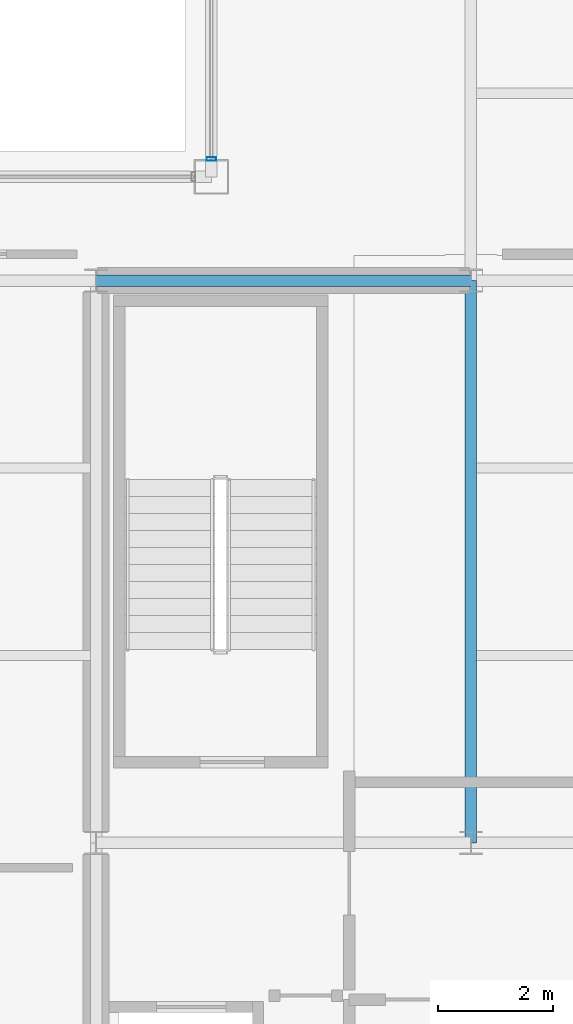
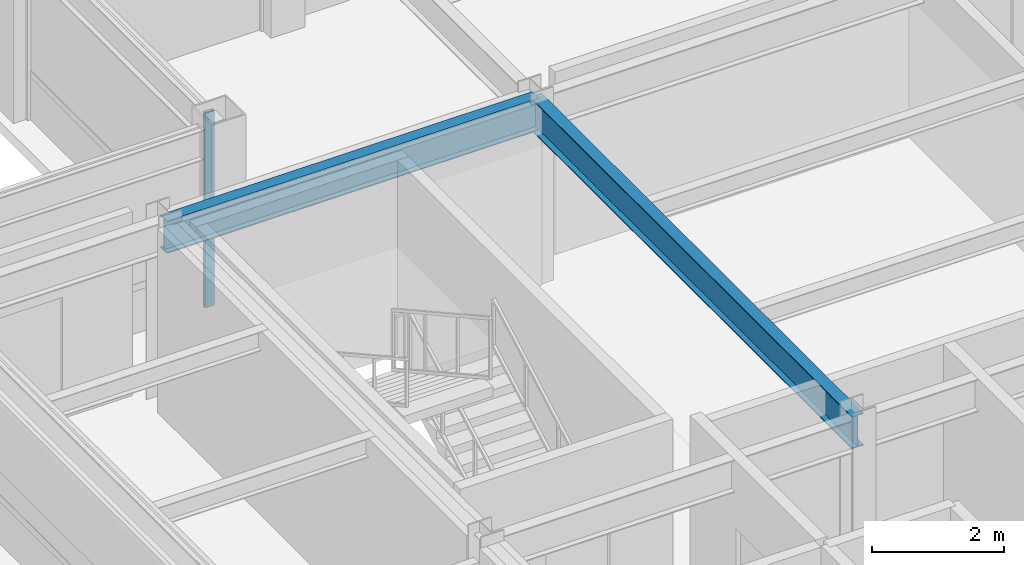
# One storey, part 12 of 27: 2 beams, 1 member, 1 element without a shape of its own.
"""IFC4 building model written with IfcOpenShell, lengths in metres."""

import ifcopenshell
import ifcopenshell.guid

model = None  # the IFC model being written
_history = None  # IfcOwnerHistory: only IFC2X3 demands one
_inside = {}  # id of a spatial element -> (the spatial element, [elements in it])
_under = {}  # id of a project, library or spatial element -> (it, [spatial elements below it])
_declared = {}  # id of a project -> (the project, [libraries it declares])
_typed = {}  # id of a type object -> (the type object, [elements of that type])
_made_of = {}  # id of a material, layer set ... -> (it, [elements and type objects made of it])


def new_model(schema):
    """Start an empty IFC model of exactly this schema.

    Asked for "IFC4X3", IfcOpenShell would pick the latest addendum, in which some entities
    have other attributes; the version numbers below select the first issue.
    IFC2X3 requires an IfcOwnerHistory on every rooted entity: one is made here for all.
    """
    global model, _history
    if schema == "IFC4X3":
        model = ifcopenshell.file(schema_version=(4, 3, 0, 0))
    else:
        model = ifcopenshell.file(schema=schema)
    _inside.clear()
    _under.clear()
    _declared.clear()
    _typed.clear()
    _made_of.clear()
    _history = None
    if model.schema == "IFC2X3":
        org = make("IfcOrganization", Name="unknown")
        user = make(
            "IfcPersonAndOrganization",
            ThePerson=make("IfcPerson", FamilyName="unknown"),
            TheOrganization=org,
        )
        app = make(
            "IfcApplication",
            ApplicationDeveloper=org,
            Version="unknown",
            ApplicationFullName="unknown",
            ApplicationIdentifier="unknown",
        )
        _history = make(
            "IfcOwnerHistory",
            OwningUser=user,
            OwningApplication=app,
            ChangeAction="ADDED",
            CreationDate=0,
        )
    return model


def make(cls, **values):
    """One entity of the class cls with the attributes given. An attribute that is None is left unset."""
    return model.create_entity(
        cls, **{name: value for name, value in values.items() if value is not None}
    )


def rooted(cls, **values):
    """An entity with a GlobalId (a new one), such as an element, a storey or a relation."""
    return make(cls, GlobalId=ifcopenshell.guid.new(), OwnerHistory=_history, **values)


def si_unit(unit_type, name, prefix=None):
    """IfcSIUnit, for example si_unit("LENGTHUNIT", "METRE", prefix="MILLI")."""
    return make("IfcSIUnit", UnitType=unit_type, Prefix=prefix, Name=name)


def assignment(units):
    """IfcUnitAssignment: the units of a project."""
    return None if units is None else make("IfcUnitAssignment", Units=units)


def point(xyz):
    """IfcCartesianPoint."""
    return None if xyz is None else make("IfcCartesianPoint", Coordinates=xyz)


def direction(xyz):
    """IfcDirection."""
    return None if xyz is None else make("IfcDirection", DirectionRatios=xyz)


def frame(location, z_axis=None, x_axis=None):
    """IfcAxis2Placement3D, a coordinate frame: its origin and axes. An axis left out is left unset."""
    return make(
        "IfcAxis2Placement3D",
        Location=point(location),
        Axis=direction(z_axis),
        RefDirection=direction(x_axis),
    )


def frame_2d(location, x_axis=None):
    """IfcAxis2Placement2D, a coordinate frame in the plane: its origin and x axis."""
    return make(
        "IfcAxis2Placement2D", Location=point(location), RefDirection=direction(x_axis)
    )


def origin():
    """The frame at (0, 0, 0) with its axes left unset."""
    return frame((0.0, 0.0, 0.0))


def origin_2d():
    """The frame at (0, 0) in the plane with its x axis left unset."""
    return frame_2d((0.0, 0.0))


def place(relative_to, where):
    """IfcLocalPlacement: puts the frame where relative to a parent placement (None: the world)."""
    return make(
        "IfcLocalPlacement", PlacementRelTo=relative_to, RelativePlacement=where
    )


def context(
    kind, dimensions, precision=None, world=None, true_north=None, identifier=None
):
    """IfcGeometricRepresentationContext, for example the 3D "Model" context."""
    return make(
        "IfcGeometricRepresentationContext",
        ContextIdentifier=identifier,
        ContextType=kind,
        CoordinateSpaceDimension=dimensions,
        Precision=precision,
        WorldCoordinateSystem=world,
        TrueNorth=true_north,
    )


def subcontext(parent, identifier, kind, view, scale=None):
    """IfcGeometricRepresentationSubContext, for example "Body" below "Model"."""
    return make(
        "IfcGeometricRepresentationSubContext",
        ContextIdentifier=identifier,
        ContextType=kind,
        ParentContext=parent,
        TargetScale=scale,
        TargetView=view,
    )


def project(units=None, contexts=None):
    """IfcProject with its units and contexts."""
    return rooted(
        "IfcProject",
        Name="project",
        RepresentationContexts=contexts,
        UnitsInContext=assignment(units),
    )


def spatial(cls, under=None, at=None, **own):
    """A site, building, storey or space (cls), placed at a placement, below another one or the project."""
    s = rooted(cls, ObjectPlacement=at, **own)
    if under is not None:
        _under.setdefault(under.id(), (under, []))[1].append(s)
    return s


def profile(cls, at=None, kind="AREA", **sizes):
    """A parametric profile (cls). Its sizes go by their IFC names, for example OverallWidth=200.0."""
    return make(cls, ProfileType=kind, Position=at, **sizes)


def hollow_rectangle(**sizes):
    """IfcRectangleHollowProfileDef."""
    return profile("IfcRectangleHollowProfileDef", **sizes)


def i_section(**sizes):
    """IfcIShapeProfileDef."""
    return profile("IfcIShapeProfileDef", **sizes)


def extrude(swept, where, along, depth):
    """IfcExtrudedAreaSolid: the profile swept, set in the frame where, extruded along a direction by depth."""
    return make(
        "IfcExtrudedAreaSolid",
        SweptArea=swept,
        Position=where,
        ExtrudedDirection=direction(along),
        Depth=depth,
    )


def shape(context_of_items, identifier, shape_type, items):
    """IfcShapeRepresentation: the items that make up one representation, for example the "Body"."""
    return make(
        "IfcShapeRepresentation",
        ContextOfItems=context_of_items,
        RepresentationIdentifier=identifier,
        RepresentationType=shape_type,
        Items=items,
    )


def material(Name=None, Category=None):
    """IfcMaterial."""
    return make("IfcMaterial", Name=Name, Category=Category)


def layer(
    of_material, thickness, ventilated=None, Name=None, Category=None, Priority=None
):
    """IfcMaterialLayer: one layer of a wall or slab, of a material (None: an air gap)."""
    return make(
        "IfcMaterialLayer",
        Material=of_material,
        LayerThickness=thickness,
        IsVentilated=ventilated,
        Name=Name,
        Category=Category,
        Priority=Priority,
    )


def layer_set(layers, Name=None):
    """IfcMaterialLayerSet."""
    return make("IfcMaterialLayerSet", MaterialLayers=layers, LayerSetName=Name)


def material_profile(
    of_material, cross_section, Name=None, Category=None, Priority=None
):
    """IfcMaterialProfile: a cross section and its material."""
    return make(
        "IfcMaterialProfile",
        Name=Name,
        Material=of_material,
        Profile=cross_section,
        Priority=Priority,
        Category=Category,
    )


def profile_set(profiles, Name=None, composite=None):
    """IfcMaterialProfileSet."""
    return make(
        "IfcMaterialProfileSet",
        Name=Name,
        MaterialProfiles=profiles,
        CompositeProfile=composite,
    )


def made_of(thing, what):
    """Note that an element or type object is made of a material, layer set ...; save() writes the relation."""
    if what is not None:
        _made_of.setdefault(what.id(), (what, []))[1].append(thing)
    return thing


def type_object(cls, material=None, **own):
    """A type object (cls), such as IfcWallType, which elements share."""
    return made_of(rooted(cls, **own), material)


def element(
    cls,
    number,
    at=None,
    inside=None,
    cuts=None,
    type_object=None,
    material=None,
    context=None,
    identifier="Body",
    shape_type=None,
    held_by="IfcProductDefinitionShape",
    body=None,
    shapes=None,
    **own,
):
    """One element of the class cls, such as IfcWall. Its Tag is "e" and its number.

    at: its placement. inside: the storey or other place that contains it. cuts: it is an
    opening in that element (IfcRelVoidsElement). A single representation is given by context,
    identifier, shape_type and body (its items); several are given by shapes. held_by: the class
    of the entity that holds the representations. save() writes the other relations.
    """
    e = rooted(cls, Tag="e%d" % number, ObjectPlacement=at, **own)
    if body is not None:
        shapes = [shape(context, identifier, shape_type, body)]
    if shapes is not None:
        e.Representation = make(held_by, Representations=shapes)
    if inside is not None:
        _inside.setdefault(inside.id(), (inside, []))[1].append(e)
    if cuts is not None:
        rooted(
            "IfcRelVoidsElement", RelatingBuildingElement=cuts, RelatedOpeningElement=e
        )
    if type_object is not None:
        _typed.setdefault(type_object.id(), (type_object, []))[1].append(e)
    return made_of(e, material)


def aggregate(whole, parts):
    """IfcRelAggregates: a whole, such as a stair, and the parts it consists of."""
    return rooted("IfcRelAggregates", RelatingObject=whole, RelatedObjects=parts)


def save(model, path):
    """Write the relations noted so far, then the file.

    IfcRelAggregates (storeys below a building ...), IfcRelContainedInSpatialStructure (elements
    in a storey), IfcRelDefinesByType, IfcRelAssociatesMaterial and IfcRelDeclares: one each for
    every whole, place, type object, material and project.
    """
    for whole, parts in _under.values():
        aggregate(whole, parts)
    for where, things in _inside.values():
        rooted(
            "IfcRelContainedInSpatialStructure",
            RelatedElements=things,
            RelatingStructure=where,
        )
    for kind, things in _typed.values():
        rooted("IfcRelDefinesByType", RelatedObjects=things, RelatingType=kind)
    for what, things in _made_of.values():
        rooted("IfcRelAssociatesMaterial", RelatedObjects=things, RelatingMaterial=what)
    for by, libraries in _declared.values():
        rooted("IfcRelDeclares", RelatingContext=by, RelatedDefinitions=libraries)
    model.write(path)


model = new_model("IFC4")

# Units and contexts
model_context = context("Model", 3, precision=1e-05, world=origin(), true_north=direction((0.0, 1.0)))
body_context = subcontext(model_context, "Body", "Model", "MODEL_VIEW")
ifc_project = project(units=[si_unit("LENGTHUNIT", "METRE"), si_unit("AREAUNIT", "SQUARE_METRE"), si_unit("VOLUMEUNIT", "CUBIC_METRE"), si_unit("PLANEANGLEUNIT", "RADIAN"), si_unit("MASSUNIT", "GRAM", prefix="KILO")], contexts=[model_context])

# Site, building, storey
site_placement = place(None, origin())
site = spatial("IfcSite", under=ifc_project, at=site_placement, CompositionType="ELEMENT")
building_placement = place(site_placement, origin())
building = spatial("IfcBuilding", under=site, at=building_placement, Name="Brelmoor Portico Tower", CompositionType="ELEMENT")
storey_placement = place(building_placement, frame((0.0, 0.0, 250.800048828125)))
storey = spatial("IfcBuildingStorey", under=building, at=storey_placement, Name="L66", CompositionType="ELEMENT", Elevation=250.800048828125)

# Beams
ifc_material_1 = material(Name="Steel Q355B", Category="steel")
ifc_material_profile_1 = material_profile(ifc_material_1, i_section(OverallWidth=0.199951171875, OverallDepth=0.60009765625, WebThickness=0.010986328125, FlangeThickness=0.01708984375, at=origin_2d()), Name="HN 600x200x11x17")
ifc_profile_set_1 = profile_set([ifc_material_profile_1], Name="Steel Q355B")
beam_type = type_object("IfcBeamType", Name="BM-PG-600", PredefinedType="BEAM", material=ifc_profile_set_1)
beam_1_placement = place(storey_placement, frame((-8.050048828125, 0.0, 3.099853515625), z_axis=(0.0, 1.0, 0.0), x_axis=(-1.0, 0.0, 0.0)))
element("IfcBeam", 1, at=beam_1_placement, inside=storey, type_object=beam_type, Name="L66 Primary Floor Girder PG-04", PredefinedType="BEAM", context=body_context, shape_type="SweptSolid", body=[
    extrude(i_section(OverallWidth=0.199951171875, OverallDepth=0.60009765625, WebThickness=0.010986328125, FlangeThickness=0.01708984375, at=origin_2d()), origin(), (0.0, 0.0, 1.0), 9.75),
])
beam_2_placement = place(storey_placement, frame((-14.550048828125, 9.75, 3.099853515625), z_axis=(1.0, 0.0, 0.0), x_axis=(0.0, 1.0, 0.0)))
element("IfcBeam", 2, at=beam_2_placement, inside=storey, type_object=beam_type, Name="L66 Primary Floor Girder PG-20", PredefinedType="BEAM", context=body_context, shape_type="SweptSolid", body=[
    extrude(i_section(OverallWidth=0.199951171875, OverallDepth=0.60009765625, WebThickness=0.010986328125, FlangeThickness=0.01708984375, at=origin_2d()), origin(), (0.0, 0.0, 1.0), 6.5),
])

# Curtain wall, member
ifc_material_2 = material(Name="Anodised Aluminium Alloy 6063-T6", Category="aluminium")
ifc_layer = layer(ifc_material_2, 0.179931640625)
ifc_layer_set = layer_set([ifc_layer], Name="Anodised Aluminium Alloy 6063-T6")
curtain_wall_type = type_object("IfcCurtainWallType", Name="CW-NOTCH-CHAMFER", PredefinedType="NOTDEFINED", material=ifc_layer_set)
curtain_wall_placement = place(storey_placement, origin())
curtain_wall = element("IfcCurtainWall", 3, at=curtain_wall_placement, inside=storey, type_object=curtain_wall_type, Name="L66 Curtain Wall CWN-L66-NWV", PredefinedType="NOTDEFINED")
ifc_material_profile_2 = material_profile(ifc_material_2, hollow_rectangle(XDim=0.06494140625, YDim=0.1650390625, WallThickness=0.00390625, at=origin_2d()), Name="ALU MULLION 65x165")
ifc_profile_set_2 = profile_set([ifc_material_profile_2], Name="Anodised Aluminium Alloy 6063-T6")
member_type = type_object("IfcMemberType", Name="MB-CW-MULL-165", PredefinedType="MULLION", material=ifc_profile_set_2)
member_placement = place(storey_placement, frame((-12.550048828125, 11.860107421875, -0.199951171875), z_axis=(0.0, 0.0, 1.0), x_axis=(0.0, 1.0, 0.0)))
member = element("IfcMember", 4, at=member_placement, type_object=member_type, Name="CWN-L66-NWV Mullion 00", PredefinedType="MULLION", context=body_context, shape_type="SweptSolid", body=[
    extrude(hollow_rectangle(XDim=0.06494140625, YDim=0.1650390625, WallThickness=0.00390625, at=origin_2d()), origin(), (0.0, 0.0, 1.0), 3.599853515625),
])
aggregate(curtain_wall, [member])

save(model, "model.ifc")
